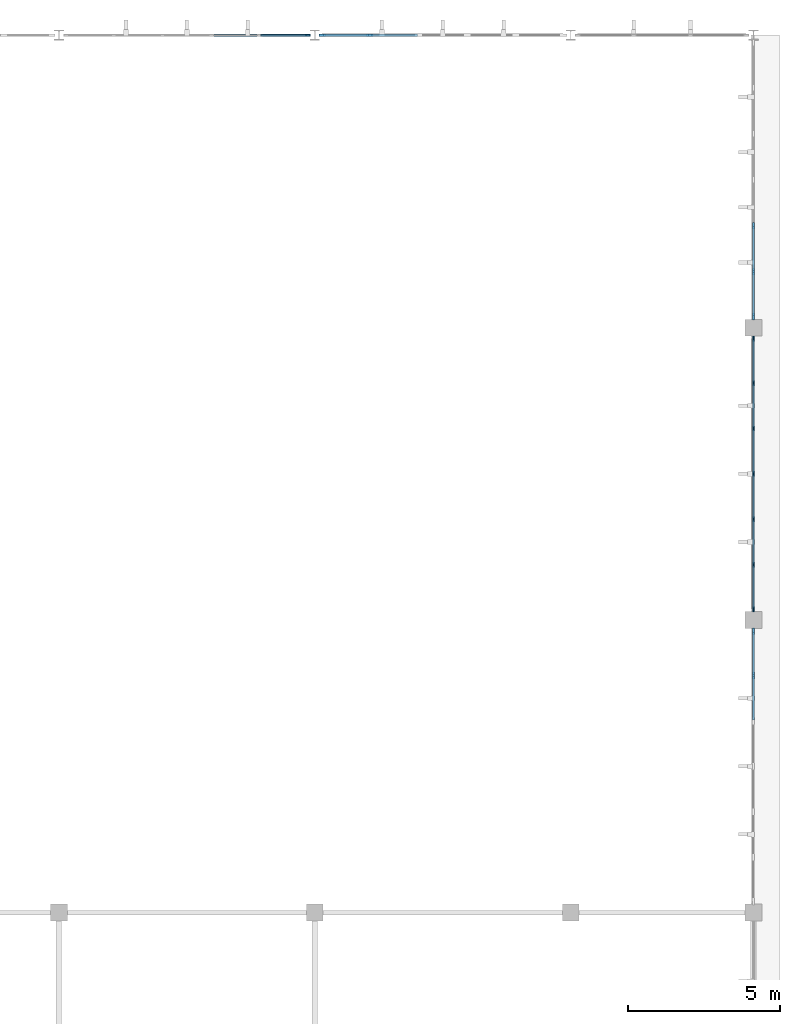
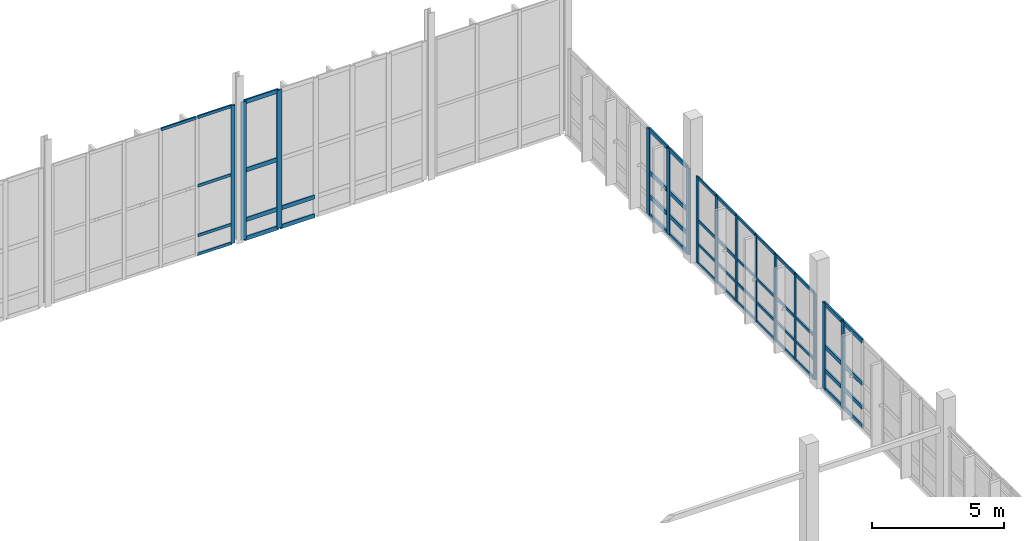
# One storey, part 31 of 67: 66 members, 5 elements without a shape of their own.
"""IFC4 building model written with IfcOpenShell, lengths in metres."""

from ifc_helpers import new_model, si_unit, direction, frame, origin, origin_2d, place, context, subcontext, project, spatial, rectangle, extrude, material, material_profile, profile_set, type_object, element, aggregate, save


model = new_model("IFC4")

# Units and contexts
model_context = context("Model", 3, precision=1e-05, world=origin(), true_north=direction((0.0, 1.0)))
body_context = subcontext(model_context, "Body", "Model", "MODEL_VIEW")
ifc_project = project(units=[si_unit("LENGTHUNIT", "METRE"), si_unit("AREAUNIT", "SQUARE_METRE"), si_unit("VOLUMEUNIT", "CUBIC_METRE"), si_unit("PLANEANGLEUNIT", "RADIAN"), si_unit("MASSUNIT", "GRAM", prefix="KILO")], contexts=[model_context])

# Site, building, storey
site_placement = place(None, origin())
site = spatial("IfcSite", under=ifc_project, at=site_placement, CompositionType="ELEMENT")
building_placement = place(site_placement, origin())
building = spatial("IfcBuilding", under=site, at=building_placement, Name="Tizgana Railside Sports Hall", CompositionType="ELEMENT")
storey_placement = place(building_placement, frame((0.0, 0.0, 12.0)))
storey = spatial("IfcBuildingStorey", under=building, at=storey_placement, Name="L02", CompositionType="ELEMENT", Elevation=12.0)

# Curtain wall, member
ifc_material_1 = material(Name="Anodised aluminium and glass", Category="aluminium")
curtain_wall_type_1 = type_object("IfcCurtainWallType", Name="Unitised Curtain Wall Foyer 1300", PredefinedType="NOTDEFINED", material=ifc_material_1)
curtain_wall_1_placement = place(storey_placement, origin())
curtain_wall_1 = element("IfcCurtainWall", 1, at=curtain_wall_1_placement, inside=storey, type_object=curtain_wall_type_1, Name="L02 Curtain Wall CW-0049", PredefinedType="NOTDEFINED")
ifc_material_2 = material(Name="Anodised aluminium", Category="aluminium")
ifc_material_profile_1 = material_profile(ifc_material_2, rectangle(XDim=0.06005859375, YDim=0.159912109375, at=origin_2d()), Name="Mullion 60x160")
ifc_profile_set_1 = profile_set([ifc_material_profile_1], Name="Anodised aluminium")
member_type_1 = type_object("IfcMemberType", Name="Mullion 60x160", PredefinedType="MULLION", material=ifc_profile_set_1)
member_1_placement = place(storey_placement, frame((157.56494140625, 117.60009765625, 0.0), z_axis=(0.0, 0.0, 1.0), x_axis=(0.0, 1.0, 0.0)))
member_1 = element("IfcMember", 2, at=member_1_placement, type_object=member_type_1, Name="CW-02 mullion 6", PredefinedType="MULLION", context=body_context, shape_type="SweptSolid", body=[
    extrude(rectangle(XDim=0.06005859375, YDim=0.159912109375, at=origin_2d()), origin(), (0.0, 0.0, 1.0), 6.39990234375),
])

# Curtain wall, members
curtain_wall_type_2 = type_object("IfcCurtainWallType", Name="Unitised Curtain Wall Climbing 1600", PredefinedType="NOTDEFINED", material=ifc_material_1)
curtain_wall_2_placement = place(storey_placement, origin())
curtain_wall_2 = element("IfcCurtainWall", 3, at=curtain_wall_2_placement, inside=storey, type_object=curtain_wall_type_2, Name="L02 Curtain Wall CW-0067", PredefinedType="NOTDEFINED")
member_2_placement = place(storey_placement, frame((172.199951171875, 98.760009765625, 0.0), z_axis=(0.0, 0.0, 1.0), x_axis=(-1.0, 0.0, 0.0)))
member_2 = element("IfcMember", 4, at=member_2_placement, type_object=member_type_1, Name="CW-04 mullion 1", PredefinedType="MULLION", context=body_context, shape_type="SweptSolid", body=[
    extrude(rectangle(XDim=0.06005859375, YDim=0.159912109375, at=origin_2d()), origin(), (0.0, 0.0, 1.0), 4.0),
])
member_3_placement = place(storey_placement, frame((172.199951171875, 100.219970703125, 0.0), z_axis=(0.0, 0.0, 1.0), x_axis=(-1.0, 0.0, 0.0)))
member_3 = element("IfcMember", 5, at=member_3_placement, type_object=member_type_1, Name="CW-04 mullion 2", PredefinedType="MULLION", context=body_context, shape_type="SweptSolid", body=[
    extrude(rectangle(XDim=0.06005859375, YDim=0.159912109375, at=origin_2d()), origin(), (0.0, 0.0, 1.0), 4.0),
])
member_4_placement = place(storey_placement, frame((172.199951171875, 101.7099609375, 0.0), z_axis=(0.0, 0.0, 1.0), x_axis=(-1.0, 0.0, 0.0)))
member_4 = element("IfcMember", 6, at=member_4_placement, type_object=member_type_1, Name="CW-04 mullion 3", PredefinedType="MULLION", context=body_context, shape_type="SweptSolid", body=[
    extrude(rectangle(XDim=0.06005859375, YDim=0.159912109375, at=origin_2d()), origin(), (0.0, 0.0, 1.0), 4.0),
])
member_5_placement = place(storey_placement, frame((172.199951171875, 103.199951171875, 0.0), z_axis=(0.0, 0.0, 1.0), x_axis=(-1.0, 0.0, 0.0)))
member_5 = element("IfcMember", 7, at=member_5_placement, type_object=member_type_1, Name="CW-04 mullion 4", PredefinedType="MULLION", context=body_context, shape_type="SweptSolid", body=[
    extrude(rectangle(XDim=0.06005859375, YDim=0.159912109375, at=origin_2d()), origin(), (0.0, 0.0, 1.0), 4.0),
])
member_6_placement = place(storey_placement, frame((172.199951171875, 104.68994140625, 0.0), z_axis=(0.0, 0.0, 1.0), x_axis=(-1.0, 0.0, 0.0)))
member_6 = element("IfcMember", 8, at=member_6_placement, type_object=member_type_1, Name="CW-04 mullion 5", PredefinedType="MULLION", context=body_context, shape_type="SweptSolid", body=[
    extrude(rectangle(XDim=0.06005859375, YDim=0.159912109375, at=origin_2d()), origin(), (0.0, 0.0, 1.0), 4.0),
])
member_7_placement = place(storey_placement, frame((172.199951171875, 106.179931640625, 0.0), z_axis=(0.0, 0.0, 1.0), x_axis=(-1.0, 0.0, 0.0)))
member_7 = element("IfcMember", 9, at=member_7_placement, type_object=member_type_1, Name="CW-04 mullion 6", PredefinedType="MULLION", context=body_context, shape_type="SweptSolid", body=[
    extrude(rectangle(XDim=0.06005859375, YDim=0.159912109375, at=origin_2d()), origin(), (0.0, 0.0, 1.0), 4.0),
])
member_8_placement = place(storey_placement, frame((172.199951171875, 107.639892578125, 0.0), z_axis=(0.0, 0.0, 1.0), x_axis=(-1.0, 0.0, 0.0)))
member_8 = element("IfcMember", 10, at=member_8_placement, type_object=member_type_1, Name="CW-04 mullion 7", PredefinedType="MULLION", context=body_context, shape_type="SweptSolid", body=[
    extrude(rectangle(XDim=0.06005859375, YDim=0.159912109375, at=origin_2d()), origin(), (0.0, 0.0, 1.0), 4.0),
])

curtain_wall_type_3 = type_object("IfcCurtainWallType", Name="Unitised Curtain Wall Clinic 1200", PredefinedType="NOTDEFINED", material=ifc_material_1)
curtain_wall_3_placement = place(storey_placement, origin())
curtain_wall_3 = element("IfcCurtainWall", 11, at=curtain_wall_3_placement, inside=storey, type_object=curtain_wall_type_3, Name="L02 Curtain Wall CW-0052", PredefinedType="NOTDEFINED")
ifc_material_profile_2 = material_profile(ifc_material_2, rectangle(XDim=0.070068359375, YDim=0.219970703125, at=origin_2d()), Name="Mullion 70x220")
ifc_profile_set_2 = profile_set([ifc_material_profile_2], Name="Anodised aluminium")
member_type_2 = type_object("IfcMemberType", Name="Mullion 70x220", PredefinedType="MULLION", material=ifc_profile_set_2)
member_9_placement = place(storey_placement, frame((158.0400390625, 117.60009765625, 0.0), z_axis=(0.0, 0.0, 1.0), x_axis=(0.0, 1.0, 0.0)))
member_9 = element("IfcMember", 12, at=member_9_placement, type_object=member_type_2, Name="CW-05 mullion 1", PredefinedType="MULLION", context=body_context, shape_type="SweptSolid", body=[
    extrude(rectangle(XDim=0.070068359375, YDim=0.219970703125, at=origin_2d()), origin(), (0.0, 0.0, 1.0), 6.39990234375),
])
member_10_placement = place(storey_placement, frame((159.60302734375, 117.60009765625, 0.0), z_axis=(0.0, 0.0, 1.0), x_axis=(0.0, 1.0, 0.0)))
member_10 = element("IfcMember", 13, at=member_10_placement, type_object=member_type_2, Name="CW-05 mullion 2", PredefinedType="MULLION", context=body_context, shape_type="SweptSolid", body=[
    extrude(rectangle(XDim=0.070068359375, YDim=0.219970703125, at=origin_2d()), origin(), (0.0, 0.0, 1.0), 6.39990234375),
])

curtain_wall_type_4 = type_object("IfcCurtainWallType", Name="Unitised Curtain Wall Concourse 1500", PredefinedType="NOTDEFINED", material=ifc_material_1)
curtain_wall_4_placement = place(storey_placement, origin())
curtain_wall_4 = element("IfcCurtainWall", 14, at=curtain_wall_4_placement, inside=storey, type_object=curtain_wall_type_4, Name="L02 Curtain Wall CW-0064", PredefinedType="NOTDEFINED")
member_11_placement = place(storey_placement, frame((172.199951171875, 96.580078125, 0.0), z_axis=(0.0, 0.0, 1.0), x_axis=(-1.0, 0.0, 0.0)))
member_11 = element("IfcMember", 15, at=member_11_placement, type_object=member_type_2, Name="CW-01 mullion 6", PredefinedType="MULLION", context=body_context, shape_type="SweptSolid", body=[
    extrude(rectangle(XDim=0.070068359375, YDim=0.219970703125, at=origin_2d()), origin(), (0.0, 0.0, 1.0), 4.0),
])
member_12_placement = place(storey_placement, frame((172.199951171875, 98.034912109375, 0.0), z_axis=(0.0, 0.0, 1.0), x_axis=(-1.0, 0.0, 0.0)))
member_12 = element("IfcMember", 16, at=member_12_placement, type_object=member_type_2, Name="CW-01 mullion 7", PredefinedType="MULLION", context=body_context, shape_type="SweptSolid", body=[
    extrude(rectangle(XDim=0.070068359375, YDim=0.219970703125, at=origin_2d()), origin(), (0.0, 0.0, 1.0), 4.0),
])

curtain_wall_type_5 = type_object("IfcCurtainWallType", Name="Unitised Curtain Wall WestHall 1560", PredefinedType="NOTDEFINED", material=ifc_material_1)
curtain_wall_5_placement = place(storey_placement, origin())
curtain_wall_5 = element("IfcCurtainWall", 17, at=curtain_wall_5_placement, inside=storey, type_object=curtain_wall_type_5, Name="L02 Curtain Wall CW-0070", PredefinedType="NOTDEFINED")
member_13_placement = place(storey_placement, frame((172.199951171875, 108.364990234375, 0.0), z_axis=(0.0, 0.0, 1.0), x_axis=(-1.0, 0.0, 0.0)))
member_13 = element("IfcMember", 18, at=member_13_placement, type_object=member_type_2, Name="CW-07 mullion 1", PredefinedType="MULLION", context=body_context, shape_type="SweptSolid", body=[
    extrude(rectangle(XDim=0.070068359375, YDim=0.219970703125, at=origin_2d()), origin(), (0.0, 0.0, 1.0), 4.0),
])
member_14_placement = place(storey_placement, frame((172.199951171875, 109.839111328125, 0.0), z_axis=(0.0, 0.0, 1.0), x_axis=(-1.0, 0.0, 0.0)))
member_14 = element("IfcMember", 19, at=member_14_placement, type_object=member_type_2, Name="CW-07 mullion 2", PredefinedType="MULLION", context=body_context, shape_type="SweptSolid", body=[
    extrude(rectangle(XDim=0.070068359375, YDim=0.219970703125, at=origin_2d()), origin(), (0.0, 0.0, 1.0), 4.0),
])
member_15_placement = place(storey_placement, frame((172.199951171875, 111.348388671875, 0.0), z_axis=(0.0, 0.0, 1.0), x_axis=(-1.0, 0.0, 0.0)))
member_15 = element("IfcMember", 20, at=member_15_placement, type_object=member_type_2, Name="CW-07 mullion 3", PredefinedType="MULLION", context=body_context, shape_type="SweptSolid", body=[
    extrude(rectangle(XDim=0.070068359375, YDim=0.219970703125, at=origin_2d()), origin(), (0.0, 0.0, 1.0), 4.0),
])

# Member
ifc_material_profile_3 = material_profile(ifc_material_2, rectangle(XDim=0.06005859375, YDim=0.1298828125, at=origin_2d()), Name="Transom 60x130")
ifc_profile_set_3 = profile_set([ifc_material_profile_3], Name="Anodised aluminium")
member_type_3 = type_object("IfcMemberType", Name="Transom 60x130", PredefinedType="USERDEFINED", material=ifc_profile_set_3)
member_16_placement = place(storey_placement, frame((154.428955078125, 117.60009765625, 6.3701171875), z_axis=(1.0, 0.0, 0.0), x_axis=(0.0, 1.0, 0.0)))
member_16 = element("IfcMember", 21, at=member_16_placement, type_object=member_type_3, Name="CW-02 transom 4.4", ObjectType="TRANSOM", PredefinedType="USERDEFINED", context=body_context, shape_type="SweptSolid", body=[
    extrude(rectangle(XDim=0.06005859375, YDim=0.1298828125, at=origin_2d()), origin(), (0.0, 0.0, 1.0), 1.5380859375),
])

member_17_placement = place(storey_placement, frame((156.027099609375, 117.60009765625, 0.030029296875), z_axis=(1.0, 0.0, 0.0), x_axis=(0.0, 1.0, 0.0)))
member_17 = element("IfcMember", 22, at=member_17_placement, type_object=member_type_3, Name="CW-02 transom 5.1", ObjectType="TRANSOM", PredefinedType="USERDEFINED", context=body_context, shape_type="SweptSolid", body=[
    extrude(rectangle(XDim=0.06005859375, YDim=0.1298828125, at=origin_2d()), origin(), (0.0, 0.0, 1.0), 1.5078125),
])

member_18_placement = place(storey_placement, frame((156.027099609375, 117.60009765625, 0.89990234375), z_axis=(1.0, 0.0, 0.0), x_axis=(0.0, 1.0, 0.0)))
member_18 = element("IfcMember", 23, at=member_18_placement, type_object=member_type_3, Name="CW-02 transom 5.2", ObjectType="TRANSOM", PredefinedType="USERDEFINED", context=body_context, shape_type="SweptSolid", body=[
    extrude(rectangle(XDim=0.06005859375, YDim=0.1298828125, at=origin_2d()), origin(), (0.0, 0.0, 1.0), 1.5078125),
])

member_19_placement = place(storey_placement, frame((156.027099609375, 117.60009765625, 3.199951171875), z_axis=(1.0, 0.0, 0.0), x_axis=(0.0, 1.0, 0.0)))
member_19 = element("IfcMember", 24, at=member_19_placement, type_object=member_type_3, Name="CW-02 transom 5.3", ObjectType="TRANSOM", PredefinedType="USERDEFINED", context=body_context, shape_type="SweptSolid", body=[
    extrude(rectangle(XDim=0.06005859375, YDim=0.1298828125, at=origin_2d()), origin(), (0.0, 0.0, 1.0), 1.5078125),
])

member_20_placement = place(storey_placement, frame((156.027099609375, 117.60009765625, 6.3701171875), z_axis=(1.0, 0.0, 0.0), x_axis=(0.0, 1.0, 0.0)))
member_20 = element("IfcMember", 25, at=member_20_placement, type_object=member_type_3, Name="CW-02 transom 5.4", ObjectType="TRANSOM", PredefinedType="USERDEFINED", context=body_context, shape_type="SweptSolid", body=[
    extrude(rectangle(XDim=0.06005859375, YDim=0.1298828125, at=origin_2d()), origin(), (0.0, 0.0, 1.0), 1.5078125),
])

aggregate(curtain_wall_1, [member_1, member_16, member_17, member_18, member_19, member_20])

member_21_placement = place(storey_placement, frame((172.199951171875, 98.7900390625, 0.030029296875), z_axis=(0.0, 1.0, 0.0), x_axis=(-1.0, 0.0, 0.0)))
member_21 = element("IfcMember", 26, at=member_21_placement, type_object=member_type_3, Name="CW-04 transom 1.1", ObjectType="TRANSOM", PredefinedType="USERDEFINED", context=body_context, shape_type="SweptSolid", body=[
    extrude(rectangle(XDim=0.06005859375, YDim=0.1298828125, at=origin_2d()), origin(), (0.0, 0.0, 1.0), 1.39990234375),
])

member_22_placement = place(storey_placement, frame((172.199951171875, 98.7900390625, 0.89990234375), z_axis=(0.0, 1.0, 0.0), x_axis=(-1.0, 0.0, 0.0)))
member_22 = element("IfcMember", 27, at=member_22_placement, type_object=member_type_3, Name="CW-04 transom 1.2", ObjectType="TRANSOM", PredefinedType="USERDEFINED", context=body_context, shape_type="SweptSolid", body=[
    extrude(rectangle(XDim=0.06005859375, YDim=0.1298828125, at=origin_2d()), origin(), (0.0, 0.0, 1.0), 1.39990234375),
])

member_23_placement = place(storey_placement, frame((172.199951171875, 98.7900390625, 2.0), z_axis=(0.0, 1.0, 0.0), x_axis=(-1.0, 0.0, 0.0)))
member_23 = element("IfcMember", 28, at=member_23_placement, type_object=member_type_3, Name="CW-04 transom 1.3", ObjectType="TRANSOM", PredefinedType="USERDEFINED", context=body_context, shape_type="SweptSolid", body=[
    extrude(rectangle(XDim=0.06005859375, YDim=0.1298828125, at=origin_2d()), origin(), (0.0, 0.0, 1.0), 1.39990234375),
])

member_24_placement = place(storey_placement, frame((172.199951171875, 98.7900390625, 3.969970703125), z_axis=(0.0, 1.0, 0.0), x_axis=(-1.0, 0.0, 0.0)))
member_24 = element("IfcMember", 29, at=member_24_placement, type_object=member_type_3, Name="CW-04 transom 1.4", ObjectType="TRANSOM", PredefinedType="USERDEFINED", context=body_context, shape_type="SweptSolid", body=[
    extrude(rectangle(XDim=0.06005859375, YDim=0.1298828125, at=origin_2d()), origin(), (0.0, 0.0, 1.0), 1.39990234375),
])

member_25_placement = place(storey_placement, frame((172.199951171875, 100.25, 0.030029296875), z_axis=(0.0, 1.0, 0.0), x_axis=(-1.0, 0.0, 0.0)))
member_25 = element("IfcMember", 30, at=member_25_placement, type_object=member_type_3, Name="CW-04 transom 2.1", ObjectType="TRANSOM", PredefinedType="USERDEFINED", context=body_context, shape_type="SweptSolid", body=[
    extrude(rectangle(XDim=0.06005859375, YDim=0.1298828125, at=origin_2d()), origin(), (0.0, 0.0, 1.0), 1.429931640625),
])

member_26_placement = place(storey_placement, frame((172.199951171875, 100.25, 0.89990234375), z_axis=(0.0, 1.0, 0.0), x_axis=(-1.0, 0.0, 0.0)))
member_26 = element("IfcMember", 31, at=member_26_placement, type_object=member_type_3, Name="CW-04 transom 2.2", ObjectType="TRANSOM", PredefinedType="USERDEFINED", context=body_context, shape_type="SweptSolid", body=[
    extrude(rectangle(XDim=0.06005859375, YDim=0.1298828125, at=origin_2d()), origin(), (0.0, 0.0, 1.0), 1.429931640625),
])

member_27_placement = place(storey_placement, frame((172.199951171875, 100.25, 2.0), z_axis=(0.0, 1.0, 0.0), x_axis=(-1.0, 0.0, 0.0)))
member_27 = element("IfcMember", 32, at=member_27_placement, type_object=member_type_3, Name="CW-04 transom 2.3", ObjectType="TRANSOM", PredefinedType="USERDEFINED", context=body_context, shape_type="SweptSolid", body=[
    extrude(rectangle(XDim=0.06005859375, YDim=0.1298828125, at=origin_2d()), origin(), (0.0, 0.0, 1.0), 1.429931640625),
])

member_28_placement = place(storey_placement, frame((172.199951171875, 100.25, 3.969970703125), z_axis=(0.0, 1.0, 0.0), x_axis=(-1.0, 0.0, 0.0)))
member_28 = element("IfcMember", 33, at=member_28_placement, type_object=member_type_3, Name="CW-04 transom 2.4", ObjectType="TRANSOM", PredefinedType="USERDEFINED", context=body_context, shape_type="SweptSolid", body=[
    extrude(rectangle(XDim=0.06005859375, YDim=0.1298828125, at=origin_2d()), origin(), (0.0, 0.0, 1.0), 1.429931640625),
])

member_29_placement = place(storey_placement, frame((172.199951171875, 101.739990234375, 0.030029296875), z_axis=(0.0, 1.0, 0.0), x_axis=(-1.0, 0.0, 0.0)))
member_29 = element("IfcMember", 34, at=member_29_placement, type_object=member_type_3, Name="CW-04 transom 3.1", ObjectType="TRANSOM", PredefinedType="USERDEFINED", context=body_context, shape_type="SweptSolid", body=[
    extrude(rectangle(XDim=0.06005859375, YDim=0.1298828125, at=origin_2d()), origin(), (0.0, 0.0, 1.0), 1.429931640625),
])

member_30_placement = place(storey_placement, frame((172.199951171875, 101.739990234375, 0.89990234375), z_axis=(0.0, 1.0, 0.0), x_axis=(-1.0, 0.0, 0.0)))
member_30 = element("IfcMember", 35, at=member_30_placement, type_object=member_type_3, Name="CW-04 transom 3.2", ObjectType="TRANSOM", PredefinedType="USERDEFINED", context=body_context, shape_type="SweptSolid", body=[
    extrude(rectangle(XDim=0.06005859375, YDim=0.1298828125, at=origin_2d()), origin(), (0.0, 0.0, 1.0), 1.429931640625),
])

member_31_placement = place(storey_placement, frame((172.199951171875, 101.739990234375, 2.0), z_axis=(0.0, 1.0, 0.0), x_axis=(-1.0, 0.0, 0.0)))
member_31 = element("IfcMember", 36, at=member_31_placement, type_object=member_type_3, Name="CW-04 transom 3.3", ObjectType="TRANSOM", PredefinedType="USERDEFINED", context=body_context, shape_type="SweptSolid", body=[
    extrude(rectangle(XDim=0.06005859375, YDim=0.1298828125, at=origin_2d()), origin(), (0.0, 0.0, 1.0), 1.429931640625),
])

member_32_placement = place(storey_placement, frame((172.199951171875, 101.739990234375, 3.969970703125), z_axis=(0.0, 1.0, 0.0), x_axis=(-1.0, 0.0, 0.0)))
member_32 = element("IfcMember", 37, at=member_32_placement, type_object=member_type_3, Name="CW-04 transom 3.4", ObjectType="TRANSOM", PredefinedType="USERDEFINED", context=body_context, shape_type="SweptSolid", body=[
    extrude(rectangle(XDim=0.06005859375, YDim=0.1298828125, at=origin_2d()), origin(), (0.0, 0.0, 1.0), 1.429931640625),
])

member_33_placement = place(storey_placement, frame((172.199951171875, 103.22998046875, 0.030029296875), z_axis=(0.0, 1.0, 0.0), x_axis=(-1.0, 0.0, 0.0)))
member_33 = element("IfcMember", 38, at=member_33_placement, type_object=member_type_3, Name="CW-04 transom 4.1", ObjectType="TRANSOM", PredefinedType="USERDEFINED", context=body_context, shape_type="SweptSolid", body=[
    extrude(rectangle(XDim=0.06005859375, YDim=0.1298828125, at=origin_2d()), origin(), (0.0, 0.0, 1.0), 1.429931640625),
])

member_34_placement = place(storey_placement, frame((172.199951171875, 103.22998046875, 0.89990234375), z_axis=(0.0, 1.0, 0.0), x_axis=(-1.0, 0.0, 0.0)))
member_34 = element("IfcMember", 39, at=member_34_placement, type_object=member_type_3, Name="CW-04 transom 4.2", ObjectType="TRANSOM", PredefinedType="USERDEFINED", context=body_context, shape_type="SweptSolid", body=[
    extrude(rectangle(XDim=0.06005859375, YDim=0.1298828125, at=origin_2d()), origin(), (0.0, 0.0, 1.0), 1.429931640625),
])

member_35_placement = place(storey_placement, frame((172.199951171875, 103.22998046875, 2.0), z_axis=(0.0, 1.0, 0.0), x_axis=(-1.0, 0.0, 0.0)))
member_35 = element("IfcMember", 40, at=member_35_placement, type_object=member_type_3, Name="CW-04 transom 4.3", ObjectType="TRANSOM", PredefinedType="USERDEFINED", context=body_context, shape_type="SweptSolid", body=[
    extrude(rectangle(XDim=0.06005859375, YDim=0.1298828125, at=origin_2d()), origin(), (0.0, 0.0, 1.0), 1.429931640625),
])

member_36_placement = place(storey_placement, frame((172.199951171875, 103.22998046875, 3.969970703125), z_axis=(0.0, 1.0, 0.0), x_axis=(-1.0, 0.0, 0.0)))
member_36 = element("IfcMember", 41, at=member_36_placement, type_object=member_type_3, Name="CW-04 transom 4.4", ObjectType="TRANSOM", PredefinedType="USERDEFINED", context=body_context, shape_type="SweptSolid", body=[
    extrude(rectangle(XDim=0.06005859375, YDim=0.1298828125, at=origin_2d()), origin(), (0.0, 0.0, 1.0), 1.429931640625),
])

member_37_placement = place(storey_placement, frame((172.199951171875, 104.719970703125, 0.030029296875), z_axis=(0.0, 1.0, 0.0), x_axis=(-1.0, 0.0, 0.0)))
member_37 = element("IfcMember", 42, at=member_37_placement, type_object=member_type_3, Name="CW-04 transom 5.1", ObjectType="TRANSOM", PredefinedType="USERDEFINED", context=body_context, shape_type="SweptSolid", body=[
    extrude(rectangle(XDim=0.06005859375, YDim=0.1298828125, at=origin_2d()), origin(), (0.0, 0.0, 1.0), 1.429931640625),
])

member_38_placement = place(storey_placement, frame((172.199951171875, 104.719970703125, 0.89990234375), z_axis=(0.0, 1.0, 0.0), x_axis=(-1.0, 0.0, 0.0)))
member_38 = element("IfcMember", 43, at=member_38_placement, type_object=member_type_3, Name="CW-04 transom 5.2", ObjectType="TRANSOM", PredefinedType="USERDEFINED", context=body_context, shape_type="SweptSolid", body=[
    extrude(rectangle(XDim=0.06005859375, YDim=0.1298828125, at=origin_2d()), origin(), (0.0, 0.0, 1.0), 1.429931640625),
])

member_39_placement = place(storey_placement, frame((172.199951171875, 104.719970703125, 2.0), z_axis=(0.0, 1.0, 0.0), x_axis=(-1.0, 0.0, 0.0)))
member_39 = element("IfcMember", 44, at=member_39_placement, type_object=member_type_3, Name="CW-04 transom 5.3", ObjectType="TRANSOM", PredefinedType="USERDEFINED", context=body_context, shape_type="SweptSolid", body=[
    extrude(rectangle(XDim=0.06005859375, YDim=0.1298828125, at=origin_2d()), origin(), (0.0, 0.0, 1.0), 1.429931640625),
])

member_40_placement = place(storey_placement, frame((172.199951171875, 104.719970703125, 3.969970703125), z_axis=(0.0, 1.0, 0.0), x_axis=(-1.0, 0.0, 0.0)))
member_40 = element("IfcMember", 45, at=member_40_placement, type_object=member_type_3, Name="CW-04 transom 5.4", ObjectType="TRANSOM", PredefinedType="USERDEFINED", context=body_context, shape_type="SweptSolid", body=[
    extrude(rectangle(XDim=0.06005859375, YDim=0.1298828125, at=origin_2d()), origin(), (0.0, 0.0, 1.0), 1.429931640625),
])

member_41_placement = place(storey_placement, frame((172.199951171875, 106.2099609375, 0.030029296875), z_axis=(0.0, 1.0, 0.0), x_axis=(-1.0, 0.0, 0.0)))
member_41 = element("IfcMember", 46, at=member_41_placement, type_object=member_type_3, Name="CW-04 transom 6.1", ObjectType="TRANSOM", PredefinedType="USERDEFINED", context=body_context, shape_type="SweptSolid", body=[
    extrude(rectangle(XDim=0.06005859375, YDim=0.1298828125, at=origin_2d()), origin(), (0.0, 0.0, 1.0), 1.400146484375),
])

member_42_placement = place(storey_placement, frame((172.199951171875, 106.2099609375, 0.89990234375), z_axis=(0.0, 1.0, 0.0), x_axis=(-1.0, 0.0, 0.0)))
member_42 = element("IfcMember", 47, at=member_42_placement, type_object=member_type_3, Name="CW-04 transom 6.2", ObjectType="TRANSOM", PredefinedType="USERDEFINED", context=body_context, shape_type="SweptSolid", body=[
    extrude(rectangle(XDim=0.06005859375, YDim=0.1298828125, at=origin_2d()), origin(), (0.0, 0.0, 1.0), 1.400146484375),
])

member_43_placement = place(storey_placement, frame((172.199951171875, 106.2099609375, 2.0), z_axis=(0.0, 1.0, 0.0), x_axis=(-1.0, 0.0, 0.0)))
member_43 = element("IfcMember", 48, at=member_43_placement, type_object=member_type_3, Name="CW-04 transom 6.3", ObjectType="TRANSOM", PredefinedType="USERDEFINED", context=body_context, shape_type="SweptSolid", body=[
    extrude(rectangle(XDim=0.06005859375, YDim=0.1298828125, at=origin_2d()), origin(), (0.0, 0.0, 1.0), 1.400146484375),
])

member_44_placement = place(storey_placement, frame((172.199951171875, 106.2099609375, 3.969970703125), z_axis=(0.0, 1.0, 0.0), x_axis=(-1.0, 0.0, 0.0)))
member_44 = element("IfcMember", 49, at=member_44_placement, type_object=member_type_3, Name="CW-04 transom 6.4", ObjectType="TRANSOM", PredefinedType="USERDEFINED", context=body_context, shape_type="SweptSolid", body=[
    extrude(rectangle(XDim=0.06005859375, YDim=0.1298828125, at=origin_2d()), origin(), (0.0, 0.0, 1.0), 1.400146484375),
])

aggregate(curtain_wall_2, [member_2, member_3, member_4, member_5, member_6, member_7, member_8, member_21, member_22, member_23, member_24, member_25, member_26, member_27, member_28, member_29, member_30, member_31, member_32, member_33, member_34, member_35, member_36, member_37, member_38, member_39, member_40, member_41, member_42, member_43, member_44])

ifc_material_profile_4 = material_profile(ifc_material_2, rectangle(XDim=0.070068359375, YDim=0.18994140625, at=origin_2d()), Name="Transom 70x190")
ifc_profile_set_4 = profile_set([ifc_material_profile_4], Name="Anodised aluminium")
member_type_4 = type_object("IfcMemberType", Name="Transom 70x190", PredefinedType="USERDEFINED", material=ifc_profile_set_4)
member_45_placement = place(storey_placement, frame((158.074951171875, 117.60009765625, 0.034912109375), z_axis=(1.0, 0.0, 0.0), x_axis=(0.0, 1.0, 0.0)))
member_45 = element("IfcMember", 50, at=member_45_placement, type_object=member_type_4, Name="CW-05 transom 1.1", ObjectType="TRANSOM", PredefinedType="USERDEFINED", context=body_context, shape_type="SweptSolid", body=[
    extrude(rectangle(XDim=0.070068359375, YDim=0.18994140625, at=origin_2d()), origin(), (0.0, 0.0, 1.0), 1.4931640625),
])

member_46_placement = place(storey_placement, frame((158.074951171875, 117.60009765625, 0.89990234375), z_axis=(1.0, 0.0, 0.0), x_axis=(0.0, 1.0, 0.0)))
member_46 = element("IfcMember", 51, at=member_46_placement, type_object=member_type_4, Name="CW-05 transom 1.2", ObjectType="TRANSOM", PredefinedType="USERDEFINED", context=body_context, shape_type="SweptSolid", body=[
    extrude(rectangle(XDim=0.070068359375, YDim=0.18994140625, at=origin_2d()), origin(), (0.0, 0.0, 1.0), 1.4931640625),
])

member_47_placement = place(storey_placement, frame((158.074951171875, 117.60009765625, 3.199951171875), z_axis=(1.0, 0.0, 0.0), x_axis=(0.0, 1.0, 0.0)))
member_47 = element("IfcMember", 52, at=member_47_placement, type_object=member_type_4, Name="CW-05 transom 1.3", ObjectType="TRANSOM", PredefinedType="USERDEFINED", context=body_context, shape_type="SweptSolid", body=[
    extrude(rectangle(XDim=0.070068359375, YDim=0.18994140625, at=origin_2d()), origin(), (0.0, 0.0, 1.0), 1.4931640625),
])

member_48_placement = place(storey_placement, frame((158.074951171875, 117.60009765625, 6.364990234375), z_axis=(1.0, 0.0, 0.0), x_axis=(0.0, 1.0, 0.0)))
member_48 = element("IfcMember", 53, at=member_48_placement, type_object=member_type_4, Name="CW-05 transom 1.4", ObjectType="TRANSOM", PredefinedType="USERDEFINED", context=body_context, shape_type="SweptSolid", body=[
    extrude(rectangle(XDim=0.070068359375, YDim=0.18994140625, at=origin_2d()), origin(), (0.0, 0.0, 1.0), 1.4931640625),
])

member_49_placement = place(storey_placement, frame((159.637939453125, 117.60009765625, 0.034912109375), z_axis=(1.0, 0.0, 0.0), x_axis=(0.0, 1.0, 0.0)))
member_49 = element("IfcMember", 54, at=member_49_placement, type_object=member_type_4, Name="CW-05 transom 2.1", ObjectType="TRANSOM", PredefinedType="USERDEFINED", context=body_context, shape_type="SweptSolid", body=[
    extrude(rectangle(XDim=0.070068359375, YDim=0.18994140625, at=origin_2d()), origin(), (0.0, 0.0, 1.0), 1.528076171875),
])

member_50_placement = place(storey_placement, frame((159.637939453125, 117.60009765625, 0.89990234375), z_axis=(1.0, 0.0, 0.0), x_axis=(0.0, 1.0, 0.0)))
member_50 = element("IfcMember", 55, at=member_50_placement, type_object=member_type_4, Name="CW-05 transom 2.2", ObjectType="TRANSOM", PredefinedType="USERDEFINED", context=body_context, shape_type="SweptSolid", body=[
    extrude(rectangle(XDim=0.070068359375, YDim=0.18994140625, at=origin_2d()), origin(), (0.0, 0.0, 1.0), 1.528076171875),
])

aggregate(curtain_wall_3, [member_9, member_10, member_45, member_46, member_47, member_48, member_49, member_50])

member_51_placement = place(storey_placement, frame((172.199951171875, 95.125, 0.034912109375), z_axis=(0.0, 1.0, 0.0), x_axis=(-1.0, 0.0, 0.0)))
member_51 = element("IfcMember", 56, at=member_51_placement, type_object=member_type_4, Name="CW-01 transom 5.1", ObjectType="TRANSOM", PredefinedType="USERDEFINED", context=body_context, shape_type="SweptSolid", body=[
    extrude(rectangle(XDim=0.070068359375, YDim=0.18994140625, at=origin_2d()), origin(), (0.0, 0.0, 1.0), 1.419921875),
])

member_52_placement = place(storey_placement, frame((172.199951171875, 95.125, 0.89990234375), z_axis=(0.0, 1.0, 0.0), x_axis=(-1.0, 0.0, 0.0)))
member_52 = element("IfcMember", 57, at=member_52_placement, type_object=member_type_4, Name="CW-01 transom 5.2", ObjectType="TRANSOM", PredefinedType="USERDEFINED", context=body_context, shape_type="SweptSolid", body=[
    extrude(rectangle(XDim=0.070068359375, YDim=0.18994140625, at=origin_2d()), origin(), (0.0, 0.0, 1.0), 1.419921875),
])

member_53_placement = place(storey_placement, frame((172.199951171875, 95.125, 2.0), z_axis=(0.0, 1.0, 0.0), x_axis=(-1.0, 0.0, 0.0)))
member_53 = element("IfcMember", 58, at=member_53_placement, type_object=member_type_4, Name="CW-01 transom 5.3", ObjectType="TRANSOM", PredefinedType="USERDEFINED", context=body_context, shape_type="SweptSolid", body=[
    extrude(rectangle(XDim=0.070068359375, YDim=0.18994140625, at=origin_2d()), origin(), (0.0, 0.0, 1.0), 1.419921875),
])

member_54_placement = place(storey_placement, frame((172.199951171875, 95.125, 3.965087890625), z_axis=(0.0, 1.0, 0.0), x_axis=(-1.0, 0.0, 0.0)))
member_54 = element("IfcMember", 59, at=member_54_placement, type_object=member_type_4, Name="CW-01 transom 5.4", ObjectType="TRANSOM", PredefinedType="USERDEFINED", context=body_context, shape_type="SweptSolid", body=[
    extrude(rectangle(XDim=0.070068359375, YDim=0.18994140625, at=origin_2d()), origin(), (0.0, 0.0, 1.0), 1.419921875),
])

member_55_placement = place(storey_placement, frame((172.199951171875, 96.614990234375, 0.034912109375), z_axis=(0.0, 1.0, 0.0), x_axis=(-1.0, 0.0, 0.0)))
member_55 = element("IfcMember", 60, at=member_55_placement, type_object=member_type_4, Name="CW-01 transom 6.1", ObjectType="TRANSOM", PredefinedType="USERDEFINED", context=body_context, shape_type="SweptSolid", body=[
    extrude(rectangle(XDim=0.070068359375, YDim=0.18994140625, at=origin_2d()), origin(), (0.0, 0.0, 1.0), 1.385009765625),
])

member_56_placement = place(storey_placement, frame((172.199951171875, 96.614990234375, 0.89990234375), z_axis=(0.0, 1.0, 0.0), x_axis=(-1.0, 0.0, 0.0)))
member_56 = element("IfcMember", 61, at=member_56_placement, type_object=member_type_4, Name="CW-01 transom 6.2", ObjectType="TRANSOM", PredefinedType="USERDEFINED", context=body_context, shape_type="SweptSolid", body=[
    extrude(rectangle(XDim=0.070068359375, YDim=0.18994140625, at=origin_2d()), origin(), (0.0, 0.0, 1.0), 1.385009765625),
])

member_57_placement = place(storey_placement, frame((172.199951171875, 96.614990234375, 2.0), z_axis=(0.0, 1.0, 0.0), x_axis=(-1.0, 0.0, 0.0)))
member_57 = element("IfcMember", 62, at=member_57_placement, type_object=member_type_4, Name="CW-01 transom 6.3", ObjectType="TRANSOM", PredefinedType="USERDEFINED", context=body_context, shape_type="SweptSolid", body=[
    extrude(rectangle(XDim=0.070068359375, YDim=0.18994140625, at=origin_2d()), origin(), (0.0, 0.0, 1.0), 1.385009765625),
])

member_58_placement = place(storey_placement, frame((172.199951171875, 96.614990234375, 3.965087890625), z_axis=(0.0, 1.0, 0.0), x_axis=(-1.0, 0.0, 0.0)))
member_58 = element("IfcMember", 63, at=member_58_placement, type_object=member_type_4, Name="CW-01 transom 6.4", ObjectType="TRANSOM", PredefinedType="USERDEFINED", context=body_context, shape_type="SweptSolid", body=[
    extrude(rectangle(XDim=0.070068359375, YDim=0.18994140625, at=origin_2d()), origin(), (0.0, 0.0, 1.0), 1.385009765625),
])

aggregate(curtain_wall_4, [member_11, member_12, member_51, member_52, member_53, member_54, member_55, member_56, member_57, member_58])

member_59_placement = place(storey_placement, frame((172.199951171875, 108.39990234375, 0.034912109375), z_axis=(0.0, 1.0, 0.0), x_axis=(-1.0, 0.0, 0.0)))
member_59 = element("IfcMember", 64, at=member_59_placement, type_object=member_type_4, Name="CW-07 transom 1.1", ObjectType="TRANSOM", PredefinedType="USERDEFINED", context=body_context, shape_type="SweptSolid", body=[
    extrude(rectangle(XDim=0.070068359375, YDim=0.18994140625, at=origin_2d()), origin(), (0.0, 0.0, 1.0), 1.404296875),
])

member_60_placement = place(storey_placement, frame((172.199951171875, 108.39990234375, 0.89990234375), z_axis=(0.0, 1.0, 0.0), x_axis=(-1.0, 0.0, 0.0)))
member_60 = element("IfcMember", 65, at=member_60_placement, type_object=member_type_4, Name="CW-07 transom 1.2", ObjectType="TRANSOM", PredefinedType="USERDEFINED", context=body_context, shape_type="SweptSolid", body=[
    extrude(rectangle(XDim=0.070068359375, YDim=0.18994140625, at=origin_2d()), origin(), (0.0, 0.0, 1.0), 1.404296875),
])

member_61_placement = place(storey_placement, frame((172.199951171875, 108.39990234375, 2.0), z_axis=(0.0, 1.0, 0.0), x_axis=(-1.0, 0.0, 0.0)))
member_61 = element("IfcMember", 66, at=member_61_placement, type_object=member_type_4, Name="CW-07 transom 1.3", ObjectType="TRANSOM", PredefinedType="USERDEFINED", context=body_context, shape_type="SweptSolid", body=[
    extrude(rectangle(XDim=0.070068359375, YDim=0.18994140625, at=origin_2d()), origin(), (0.0, 0.0, 1.0), 1.404296875),
])

member_62_placement = place(storey_placement, frame((172.199951171875, 108.39990234375, 3.965087890625), z_axis=(0.0, 1.0, 0.0), x_axis=(-1.0, 0.0, 0.0)))
member_62 = element("IfcMember", 67, at=member_62_placement, type_object=member_type_4, Name="CW-07 transom 1.4", ObjectType="TRANSOM", PredefinedType="USERDEFINED", context=body_context, shape_type="SweptSolid", body=[
    extrude(rectangle(XDim=0.070068359375, YDim=0.18994140625, at=origin_2d()), origin(), (0.0, 0.0, 1.0), 1.404296875),
])

member_63_placement = place(storey_placement, frame((172.199951171875, 109.874267578125, 0.034912109375), z_axis=(0.0, 1.0, 0.0), x_axis=(-1.0, 0.0, 0.0)))
member_63 = element("IfcMember", 68, at=member_63_placement, type_object=member_type_4, Name="CW-07 transom 2.1", ObjectType="TRANSOM", PredefinedType="USERDEFINED", context=body_context, shape_type="SweptSolid", body=[
    extrude(rectangle(XDim=0.070068359375, YDim=0.18994140625, at=origin_2d()), origin(), (0.0, 0.0, 1.0), 1.43896484375),
])

member_64_placement = place(storey_placement, frame((172.199951171875, 109.874267578125, 0.89990234375), z_axis=(0.0, 1.0, 0.0), x_axis=(-1.0, 0.0, 0.0)))
member_64 = element("IfcMember", 69, at=member_64_placement, type_object=member_type_4, Name="CW-07 transom 2.2", ObjectType="TRANSOM", PredefinedType="USERDEFINED", context=body_context, shape_type="SweptSolid", body=[
    extrude(rectangle(XDim=0.070068359375, YDim=0.18994140625, at=origin_2d()), origin(), (0.0, 0.0, 1.0), 1.43896484375),
])

member_65_placement = place(storey_placement, frame((172.199951171875, 109.874267578125, 2.0), z_axis=(0.0, 1.0, 0.0), x_axis=(-1.0, 0.0, 0.0)))
member_65 = element("IfcMember", 70, at=member_65_placement, type_object=member_type_4, Name="CW-07 transom 2.3", ObjectType="TRANSOM", PredefinedType="USERDEFINED", context=body_context, shape_type="SweptSolid", body=[
    extrude(rectangle(XDim=0.070068359375, YDim=0.18994140625, at=origin_2d()), origin(), (0.0, 0.0, 1.0), 1.43896484375),
])

member_66_placement = place(storey_placement, frame((172.199951171875, 109.874267578125, 3.965087890625), z_axis=(0.0, 1.0, 0.0), x_axis=(-1.0, 0.0, 0.0)))
member_66 = element("IfcMember", 71, at=member_66_placement, type_object=member_type_4, Name="CW-07 transom 2.4", ObjectType="TRANSOM", PredefinedType="USERDEFINED", context=body_context, shape_type="SweptSolid", body=[
    extrude(rectangle(XDim=0.070068359375, YDim=0.18994140625, at=origin_2d()), origin(), (0.0, 0.0, 1.0), 1.43896484375),
])

aggregate(curtain_wall_5, [member_13, member_14, member_15, member_59, member_60, member_61, member_62, member_63, member_64, member_65, member_66])

save(model, "model.ifc")
